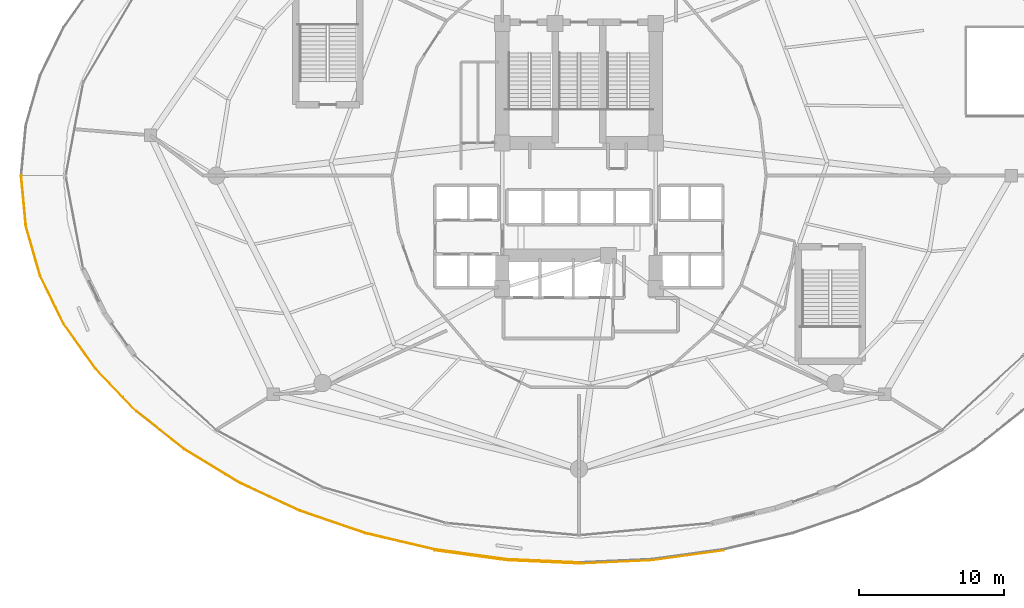
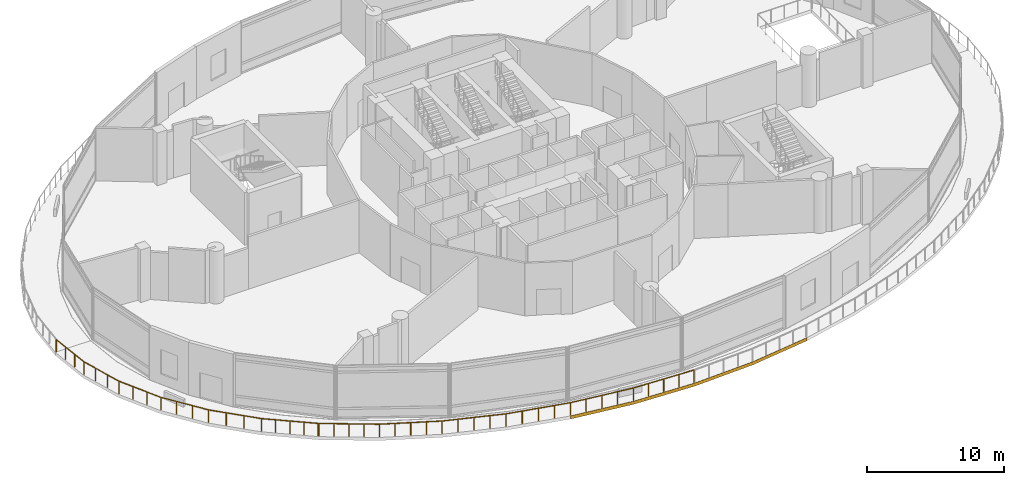
# One storey, part 31 of 36: 2 railings, 1 covering.
"""IFC4 building model written with IfcOpenShell, lengths in metres."""

from ifc_helpers import new_model, si_unit, direction, frame, origin, place, context, subcontext, project, spatial, polyline, outline, extrude, material, layer, layer_set, type_object, element, save


model = new_model("IFC4")

# Units and contexts
model_context = context("Model", 3, precision=1e-05, world=origin(), true_north=direction((0.0, 1.0)))
body_context = subcontext(model_context, "Body", "Model", "MODEL_VIEW")
ifc_project = project(units=[si_unit("LENGTHUNIT", "METRE"), si_unit("AREAUNIT", "SQUARE_METRE"), si_unit("VOLUMEUNIT", "CUBIC_METRE"), si_unit("PLANEANGLEUNIT", "RADIAN"), si_unit("MASSUNIT", "GRAM", prefix="KILO")], contexts=[model_context])

# Site, building, storey
site_placement = place(None, origin())
site = spatial("IfcSite", under=ifc_project, at=site_placement, CompositionType="ELEMENT")
building_placement = place(site_placement, origin())
building = spatial("IfcBuilding", under=site, at=building_placement, Name="Nuhasar Tower", CompositionType="ELEMENT")
storey_placement = place(building_placement, frame((0.0, 0.0, 11.0)))
storey = spatial("IfcBuildingStorey", under=building, at=storey_placement, Name="L02", CompositionType="ELEMENT", Elevation=11.0)

# Covering
ifc_material_1 = material(Name="Aluminium 6063-T6", Category="aluminium")
ifc_layer = layer(ifc_material_1, 0.014892578125)
ifc_layer_set = layer_set([ifc_layer], Name="Aluminium 6063-T6")
covering_type = type_object("IfcCoveringType", Name="COV-CLD-BRZ15", PredefinedType="CLADDING", material=ifc_layer_set)
covering_placement = place(storey_placement, frame((0.0, 0.0, -0.280029296875)))
element("IfcCovering", 1, at=covering_placement, inside=storey, type_object=covering_type, Name="L02 Bustan Terrace Bronze Fascia Cladding South", PredefinedType="CLADDING", context=body_context, shape_type="SweptSolid", body=[
    extrude(outline(polyline([(29.010009765625, 0.9130859375), (33.9619140625, 0.22900390625), (39.0, 0.0), (44.0380859375, 0.22900390625), (48.989990234375, 0.9130859375), (48.987060546875, 0.927978515625), (44.035888671875, 0.243896484375), (39.0, 0.014892578125), (33.964111328125, 0.243896484375), (29.012939453125, 0.927978515625), (29.010009765625, 0.9130859375)])), origin(), (0.0, 0.0, 1.0), 0.280029296875),
])

# Railings
ifc_material_2 = material(Name="Steel S355", Category="steel")
railing_type = type_object("IfcRailingType", Name="RLG-TERR-1150", PredefinedType="BALUSTRADE", material=ifc_material_2)
railing_1_placement = place(storey_placement, frame((0.47998046875, 26.800048828125, 0.0)))
element("IfcRailing", 2, at=railing_1_placement, inside=storey, type_object=railing_type, Name="L02 Bustan Terrace Perimeter Balustrade 05", PredefinedType="BALUSTRADE", context=body_context, shape_type="SweptSolid", body=[
    extrude(outline(polyline([(0.024169921875, 0.0), (0.01708984375, 0.01708984375), (0.0, 0.024169921875), (-0.01708984375, 0.01708984375), (-0.024169921875, 0.0), (-0.01708984375, -0.01708984375), (0.0, -0.024169921875), (0.01708984375, -0.01708984375), (0.024169921875, 0.0)])), frame((0.0, 0.0, 1.1259765625), z_axis=(0.094210589897, -0.995552291319, 0.0), x_axis=(0.995552291319, 0.094210589897, 0.0)), (0.0, 0.0, 1.0), 3.503662109375),
    extrude(outline(polyline([(0.024169921875, 0.0), (0.01708984375, 0.01708984375), (0.0, 0.024169921875), (-0.01708984375, 0.01708984375), (-0.024169921875, 0.0), (-0.01708984375, -0.01708984375), (0.0, -0.024169921875), (0.01708984375, -0.01708984375), (0.024169921875, 0.0)])), frame((0.330078125, -3.488037109375, 1.1259765625), z_axis=(0.275625212335, -0.961265177943, 0.0), x_axis=(0.961265177943, 0.275625212335, 0.0)), (0.0, 0.0, 1.0), 3.566162109375),
    extrude(outline(polyline([(0.024169921875, 0.0), (0.01708984375, 0.01708984375), (0.0, 0.024169921875), (-0.01708984375, 0.01708984375), (-0.024169921875, 0.0), (-0.01708984375, -0.01708984375), (0.0, -0.024169921875), (0.01708984375, -0.01708984375), (0.024169921875, 0.0)])), frame((1.31298828125, -6.916015625, 1.1259765625), z_axis=(0.4395096348, -0.898237875464, 0.0), x_axis=(0.898237875464, 0.4395096348, 0.0)), (0.0, 0.0, 1.0), 3.68408203125),
    extrude(outline(polyline([(0.024169921875, 0.0), (0.01708984375, 0.01708984375), (0.0, 0.024169921875), (-0.01708984375, 0.01708984375), (-0.024169921875, 0.0), (-0.01708984375, -0.01708984375), (0.0, -0.024169921875), (0.01708984375, -0.01708984375), (0.024169921875, 0.0)])), frame((2.93212890625, -10.22509765625, 1.1259765625), z_axis=(0.579465707946, -0.814996621658, 0.0), x_axis=(0.814996621658, 0.579465707946, 0.0)), (0.0, 0.0, 1.0), 3.8466796875),
    extrude(outline(polyline([(0.024169921875, 0.0), (0.01708984375, 0.01708984375), (0.0, 0.024169921875), (-0.01708984375, 0.01708984375), (-0.024169921875, 0.0), (-0.01708984375, -0.01708984375), (0.0, -0.024169921875), (0.01708984375, -0.01708984375), (0.024169921875, 0.0)])), frame((5.1611328125, -13.360107421875, 1.1259765625), z_axis=(0.693699827193, -0.72026422218, 0.0), x_axis=(0.72026422218, 0.693699827193, 0.0)), (0.0, 0.0, 1.0), 4.03466796875),
    extrude(outline(polyline([(0.024169921875, 0.0), (0.01708984375, 0.01708984375), (0.0, 0.024169921875), (-0.01708984375, 0.01708984375), (-0.024169921875, 0.0), (-0.01708984375, -0.01708984375), (0.0, -0.024169921875), (0.01708984375, -0.01708984375), (0.024169921875, 0.0)])), frame((7.9599609375, -16.26611328125, 1.1259765625), z_axis=(0.784319467323, -0.620357133576, 0.0), x_axis=(0.620357133576, 0.784319467323, 0.0)), (0.0, 0.0, 1.0), 4.196044921875),
    extrude(outline(polyline([(0.02099609375, 0.0), (0.014892578125, 0.014892578125), (0.0, 0.02099609375), (-0.014892578125, 0.014892578125), (-0.02099609375, 0.0), (-0.014892578125, -0.014892578125), (0.0, -0.02099609375), (0.014892578125, -0.014892578125), (0.02099609375, 0.0)])), origin(), (0.0, 0.0, 1.0), 1.101806640625),
    extrude(outline(polyline([(0.02099609375, 0.0), (0.014892578125, 0.014892578125), (0.0, 0.02099609375), (-0.014892578125, 0.014892578125), (-0.02099609375, 0.0), (-0.014892578125, -0.014892578125), (0.0, -0.02099609375), (0.014892578125, -0.014892578125), (0.02099609375, 0.0)])), frame((0.110107421875, -1.16259765625, 0.0)), (0.0, 0.0, 1.0), 1.101806640625),
    extrude(outline(polyline([(0.02099609375, 0.0), (0.014892578125, 0.014892578125), (0.0, 0.02099609375), (-0.014892578125, 0.014892578125), (-0.02099609375, 0.0), (-0.014892578125, -0.014892578125), (0.0, -0.02099609375), (0.014892578125, -0.014892578125), (0.02099609375, 0.0)])), frame((0.219970703125, -2.325439453125, 0.0)), (0.0, 0.0, 1.0), 1.101806640625),
    extrude(outline(polyline([(0.02099609375, 0.0), (0.014892578125, 0.014892578125), (0.0, 0.02099609375), (-0.014892578125, 0.014892578125), (-0.02099609375, 0.0), (-0.014892578125, -0.014892578125), (0.0, -0.02099609375), (0.014892578125, -0.014892578125), (0.02099609375, 0.0)])), frame((0.330078125, -3.488037109375, 0.0)), (0.0, 0.0, 1.0), 1.101806640625),
    extrude(outline(polyline([(0.02099609375, 0.0), (0.014892578125, 0.014892578125), (0.0, 0.02099609375), (-0.014892578125, 0.014892578125), (-0.02099609375, 0.0), (-0.014892578125, -0.014892578125), (0.0, -0.02099609375), (0.014892578125, -0.014892578125), (0.02099609375, 0.0)])), frame((0.65771484375, -4.630615234375, 0.0)), (0.0, 0.0, 1.0), 1.101806640625),
    extrude(outline(polyline([(0.02099609375, 0.0), (0.014892578125, 0.014892578125), (0.0, 0.02099609375), (-0.014892578125, 0.014892578125), (-0.02099609375, 0.0), (-0.014892578125, -0.014892578125), (0.0, -0.02099609375), (0.014892578125, -0.014892578125), (0.02099609375, 0.0)])), frame((0.9853515625, -5.7734375, 0.0)), (0.0, 0.0, 1.0), 1.101806640625),
    extrude(outline(polyline([(0.02099609375, 0.0), (0.014892578125, 0.014892578125), (0.0, 0.02099609375), (-0.014892578125, 0.014892578125), (-0.02099609375, 0.0), (-0.014892578125, -0.014892578125), (0.0, -0.02099609375), (0.014892578125, -0.014892578125), (0.02099609375, 0.0)])), frame((1.31298828125, -6.916015625, 0.0)), (0.0, 0.0, 1.0), 1.101806640625),
    extrude(outline(polyline([(0.02099609375, 0.0), (0.014892578125, 0.014892578125), (0.0, 0.02099609375), (-0.014892578125, 0.014892578125), (-0.02099609375, 0.0), (-0.014892578125, -0.014892578125), (0.0, -0.02099609375), (0.014892578125, -0.014892578125), (0.02099609375, 0.0)])), frame((1.852783203125, -8.01904296875, 0.0)), (0.0, 0.0, 1.0), 1.101806640625),
    extrude(outline(polyline([(0.02099609375, 0.0), (0.014892578125, 0.014892578125), (0.0, 0.02099609375), (-0.014892578125, 0.014892578125), (-0.02099609375, 0.0), (-0.014892578125, -0.014892578125), (0.0, -0.02099609375), (0.014892578125, -0.014892578125), (0.02099609375, 0.0)])), frame((2.392333984375, -9.1220703125, 0.0)), (0.0, 0.0, 1.0), 1.101806640625),
    extrude(outline(polyline([(0.02099609375, 0.0), (0.014892578125, 0.014892578125), (0.0, 0.02099609375), (-0.014892578125, 0.014892578125), (-0.02099609375, 0.0), (-0.014892578125, -0.014892578125), (0.0, -0.02099609375), (0.014892578125, -0.014892578125), (0.02099609375, 0.0)])), frame((2.93212890625, -10.22509765625, 0.0)), (0.0, 0.0, 1.0), 1.101806640625),
    extrude(outline(polyline([(0.02099609375, 0.0), (0.014892578125, 0.014892578125), (0.0, 0.02099609375), (-0.014892578125, 0.014892578125), (-0.02099609375, 0.0), (-0.014892578125, -0.014892578125), (0.0, -0.02099609375), (0.014892578125, -0.014892578125), (0.02099609375, 0.0)])), frame((3.675048828125, -11.27001953125, 0.0)), (0.0, 0.0, 1.0), 1.101806640625),
    extrude(outline(polyline([(0.02099609375, 0.0), (0.014892578125, 0.014892578125), (0.0, 0.02099609375), (-0.014892578125, 0.014892578125), (-0.02099609375, 0.0), (-0.014892578125, -0.014892578125), (0.0, -0.02099609375), (0.014892578125, -0.014892578125), (0.02099609375, 0.0)])), frame((4.418212890625, -12.315185546875, 0.0)), (0.0, 0.0, 1.0), 1.101806640625),
    extrude(outline(polyline([(0.02099609375, 0.0), (0.014892578125, 0.014892578125), (0.0, 0.02099609375), (-0.014892578125, 0.014892578125), (-0.02099609375, 0.0), (-0.014892578125, -0.014892578125), (0.0, -0.02099609375), (0.014892578125, -0.014892578125), (0.02099609375, 0.0)])), frame((5.1611328125, -13.360107421875, 0.0)), (0.0, 0.0, 1.0), 1.101806640625),
    extrude(outline(polyline([(0.02099609375, 0.0), (0.014892578125, 0.014892578125), (0.0, 0.02099609375), (-0.014892578125, 0.014892578125), (-0.02099609375, 0.0), (-0.014892578125, -0.014892578125), (0.0, -0.02099609375), (0.014892578125, -0.014892578125), (0.02099609375, 0.0)])), frame((6.093994140625, -14.328857421875, 0.0)), (0.0, 0.0, 1.0), 1.101806640625),
    extrude(outline(polyline([(0.02099609375, 0.0), (0.014892578125, 0.014892578125), (0.0, 0.02099609375), (-0.014892578125, 0.014892578125), (-0.02099609375, 0.0), (-0.014892578125, -0.014892578125), (0.0, -0.02099609375), (0.014892578125, -0.014892578125), (0.02099609375, 0.0)])), frame((7.027099609375, -15.29736328125, 0.0)), (0.0, 0.0, 1.0), 1.101806640625),
    extrude(outline(polyline([(0.02099609375, 0.0), (0.014892578125, 0.014892578125), (0.0, 0.02099609375), (-0.014892578125, 0.014892578125), (-0.02099609375, 0.0), (-0.014892578125, -0.014892578125), (0.0, -0.02099609375), (0.014892578125, -0.014892578125), (0.02099609375, 0.0)])), frame((7.9599609375, -16.26611328125, 0.0)), (0.0, 0.0, 1.0), 1.101806640625),
    extrude(outline(polyline([(0.02099609375, 0.0), (0.014892578125, 0.014892578125), (0.0, 0.02099609375), (-0.014892578125, 0.014892578125), (-0.02099609375, 0.0), (-0.014892578125, -0.014892578125), (0.0, -0.02099609375), (0.014892578125, -0.014892578125), (0.02099609375, 0.0)])), frame((8.78271484375, -16.9169921875, 0.0)), (0.0, 0.0, 1.0), 1.101806640625),
    extrude(outline(polyline([(0.02099609375, 0.0), (0.014892578125, 0.014892578125), (0.0, 0.02099609375), (-0.014892578125, 0.014892578125), (-0.02099609375, 0.0), (-0.014892578125, -0.014892578125), (0.0, -0.02099609375), (0.014892578125, -0.014892578125), (0.02099609375, 0.0)])), frame((9.60546875, -17.567626953125, 0.0)), (0.0, 0.0, 1.0), 1.101806640625),
    extrude(outline(polyline([(0.02099609375, 0.0), (0.014892578125, 0.014892578125), (0.0, 0.02099609375), (-0.014892578125, 0.014892578125), (-0.02099609375, 0.0), (-0.014892578125, -0.014892578125), (0.0, -0.02099609375), (0.014892578125, -0.014892578125), (0.02099609375, 0.0)])), frame((10.42822265625, -18.21826171875, 0.0)), (0.0, 0.0, 1.0), 1.101806640625),
    extrude(outline(polyline([(0.02099609375, 0.0), (0.014892578125, 0.014892578125), (0.0, 0.02099609375), (-0.014892578125, 0.014892578125), (-0.02099609375, 0.0), (-0.014892578125, -0.014892578125), (0.0, -0.02099609375), (0.014892578125, -0.014892578125), (0.02099609375, 0.0)])), frame((11.2509765625, -18.869140625, 0.0)), (0.0, 0.0, 1.0), 1.101806640625),
])
railing_2_placement = place(storey_placement, frame((11.761962890625, 7.906005859375, 0.0)))
element("IfcRailing", 3, at=railing_2_placement, inside=storey, type_object=railing_type, Name="L02 Bustan Terrace Perimeter Balustrade 06", PredefinedType="BALUSTRADE", context=body_context, shape_type="SweptSolid", body=[
    extrude(outline(polyline([(0.024169921875, 0.0), (0.01708984375, 0.01708984375), (0.0, 0.024169921875), (-0.01708984375, 0.01708984375), (-0.024169921875, 0.0), (-0.01708984375, -0.01708984375), (0.0, -0.024169921875), (0.01708984375, -0.01708984375), (0.024169921875, 0.0)])), frame((0.0, 0.0, 1.1259765625), z_axis=(0.854441915656, -0.519546930286, 0.0), x_axis=(0.519546930286, 0.854441915656, 0.0)), (0.0, 0.0, 1.0), 4.4345703125),
    extrude(outline(polyline([(0.024169921875, 0.0), (0.01708984375, 0.01708984375), (0.0, 0.024169921875), (-0.01708984375, 0.01708984375), (-0.024169921875, 0.0), (-0.01708984375, -0.01708984375), (0.0, -0.024169921875), (0.01708984375, -0.01708984375), (0.024169921875, 0.0)])), frame((3.7890625, -2.303955078125, 1.1259765625), z_axis=(0.907235318413, -0.420623438511, 0.0), x_axis=(0.420623438511, 0.907235318413, 0.0)), (0.0, 0.0, 1.0), 4.6171875),
    extrude(outline(polyline([(0.024169921875, 0.0), (0.01708984375, 0.01708984375), (0.0, 0.024169921875), (-0.01708984375, 0.01708984375), (-0.024169921875, 0.0), (-0.01708984375, -0.01708984375), (0.0, -0.024169921875), (0.01708984375, -0.01708984375), (0.024169921875, 0.0)])), frame((7.97802734375, -4.24609375, 1.1259765625), z_axis=(0.946169752463, -0.323670819697, 0.0), x_axis=(0.323670819697, 0.946169752463, 0.0)), (0.0, 0.0, 1.0), 4.776123046875),
    extrude(outline(polyline([(0.024169921875, 0.0), (0.01708984375, 0.01708984375), (0.0, 0.024169921875), (-0.01708984375, 0.01708984375), (-0.024169921875, 0.0), (-0.01708984375, -0.01708984375), (0.0, -0.024169921875), (0.01708984375, -0.01708984375), (0.024169921875, 0.0)])), frame((12.4970703125, -5.7919921875, 1.1259765625), z_axis=(0.973351806518, -0.229316943875, 0.0), x_axis=(0.229316943875, 0.973351806518, 0.0)), (0.0, 0.0, 1.0), 4.901611328125),
    extrude(outline(polyline([(0.024169921875, 0.0), (0.01708984375, 0.01708984375), (0.0, 0.024169921875), (-0.01708984375, 0.01708984375), (-0.024169921875, 0.0), (-0.01708984375, -0.01708984375), (0.0, -0.024169921875), (0.01708984375, -0.01708984375), (0.024169921875, 0.0)])), frame((17.26806640625, -6.916015625, 1.1259765625), z_axis=(0.990640991668, -0.136493317151, 0.0), x_axis=(0.136493317151, 0.990640991668, 0.0)), (0.0, 0.0, 1.0), 4.988525390625),
    extrude(outline(polyline([(0.024169921875, 0.0), (0.01708984375, 0.01708984375), (0.0, 0.024169921875), (-0.01708984375, 0.01708984375), (-0.024169921875, 0.0), (-0.01708984375, -0.01708984375), (0.0, -0.024169921875), (0.01708984375, -0.01708984375), (0.024169921875, 0.0)])), frame((22.2099609375, -7.596923828125, 1.1259765625), z_axis=(0.998965614545, -0.045471979909, 0.0), x_axis=(0.045471979909, 0.998965614545, 0.0)), (0.0, 0.0, 1.0), 4.9931640625),
    extrude(outline(polyline([(0.02099609375, 0.0), (0.014892578125, 0.014892578125), (0.0, 0.02099609375), (-0.014892578125, 0.014892578125), (-0.02099609375, 0.0), (-0.014892578125, -0.014892578125), (0.0, -0.02099609375), (0.014892578125, -0.014892578125), (0.02099609375, 0.0)])), origin(), (0.0, 0.0, 1.0), 1.101806640625),
    extrude(outline(polyline([(0.02099609375, 0.0), (0.014892578125, 0.014892578125), (0.0, 0.02099609375), (-0.014892578125, 0.014892578125), (-0.02099609375, 0.0), (-0.014892578125, -0.014892578125), (0.0, -0.02099609375), (0.014892578125, -0.014892578125), (0.02099609375, 0.0)])), frame((0.947265625, -0.575927734375, 0.0)), (0.0, 0.0, 1.0), 1.101806640625),
    extrude(outline(polyline([(0.02099609375, 0.0), (0.014892578125, 0.014892578125), (0.0, 0.02099609375), (-0.014892578125, 0.014892578125), (-0.02099609375, 0.0), (-0.014892578125, -0.014892578125), (0.0, -0.02099609375), (0.014892578125, -0.014892578125), (0.02099609375, 0.0)])), frame((1.89453125, -1.15185546875, 0.0)), (0.0, 0.0, 1.0), 1.101806640625),
    extrude(outline(polyline([(0.02099609375, 0.0), (0.014892578125, 0.014892578125), (0.0, 0.02099609375), (-0.014892578125, 0.014892578125), (-0.02099609375, 0.0), (-0.014892578125, -0.014892578125), (0.0, -0.02099609375), (0.014892578125, -0.014892578125), (0.02099609375, 0.0)])), frame((2.841796875, -1.72802734375, 0.0)), (0.0, 0.0, 1.0), 1.101806640625),
    extrude(outline(polyline([(0.02099609375, 0.0), (0.014892578125, 0.014892578125), (0.0, 0.02099609375), (-0.014892578125, 0.014892578125), (-0.02099609375, 0.0), (-0.014892578125, -0.014892578125), (0.0, -0.02099609375), (0.014892578125, -0.014892578125), (0.02099609375, 0.0)])), frame((3.7890625, -2.303955078125, 0.0)), (0.0, 0.0, 1.0), 1.101806640625),
    extrude(outline(polyline([(0.02099609375, 0.0), (0.014892578125, 0.014892578125), (0.0, 0.02099609375), (-0.014892578125, 0.014892578125), (-0.02099609375, 0.0), (-0.014892578125, -0.014892578125), (0.0, -0.02099609375), (0.014892578125, -0.014892578125), (0.02099609375, 0.0)])), frame((4.83642578125, -2.78955078125, 0.0)), (0.0, 0.0, 1.0), 1.101806640625),
    extrude(outline(polyline([(0.02099609375, 0.0), (0.014892578125, 0.014892578125), (0.0, 0.02099609375), (-0.014892578125, 0.014892578125), (-0.02099609375, 0.0), (-0.014892578125, -0.014892578125), (0.0, -0.02099609375), (0.014892578125, -0.014892578125), (0.02099609375, 0.0)])), frame((5.883544921875, -3.27490234375, 0.0)), (0.0, 0.0, 1.0), 1.101806640625),
    extrude(outline(polyline([(0.02099609375, 0.0), (0.014892578125, 0.014892578125), (0.0, 0.02099609375), (-0.014892578125, 0.014892578125), (-0.02099609375, 0.0), (-0.014892578125, -0.014892578125), (0.0, -0.02099609375), (0.014892578125, -0.014892578125), (0.02099609375, 0.0)])), frame((6.9306640625, -3.760498046875, 0.0)), (0.0, 0.0, 1.0), 1.101806640625),
    extrude(outline(polyline([(0.02099609375, 0.0), (0.014892578125, 0.014892578125), (0.0, 0.02099609375), (-0.014892578125, 0.014892578125), (-0.02099609375, 0.0), (-0.014892578125, -0.014892578125), (0.0, -0.02099609375), (0.014892578125, -0.014892578125), (0.02099609375, 0.0)])), frame((7.97802734375, -4.24609375, 0.0)), (0.0, 0.0, 1.0), 1.101806640625),
    extrude(outline(polyline([(0.02099609375, 0.0), (0.014892578125, 0.014892578125), (0.0, 0.02099609375), (-0.014892578125, 0.014892578125), (-0.02099609375, 0.0), (-0.014892578125, -0.014892578125), (0.0, -0.02099609375), (0.014892578125, -0.014892578125), (0.02099609375, 0.0)])), frame((9.10791015625, -4.632568359375, 0.0)), (0.0, 0.0, 1.0), 1.101806640625),
    extrude(outline(polyline([(0.02099609375, 0.0), (0.014892578125, 0.014892578125), (0.0, 0.02099609375), (-0.014892578125, 0.014892578125), (-0.02099609375, 0.0), (-0.014892578125, -0.014892578125), (0.0, -0.02099609375), (0.014892578125, -0.014892578125), (0.02099609375, 0.0)])), frame((10.237548828125, -5.01904296875, 0.0)), (0.0, 0.0, 1.0), 1.101806640625),
    extrude(outline(polyline([(0.02099609375, 0.0), (0.014892578125, 0.014892578125), (0.0, 0.02099609375), (-0.014892578125, 0.014892578125), (-0.02099609375, 0.0), (-0.014892578125, -0.014892578125), (0.0, -0.02099609375), (0.014892578125, -0.014892578125), (0.02099609375, 0.0)])), frame((11.3671875, -5.405517578125, 0.0)), (0.0, 0.0, 1.0), 1.101806640625),
    extrude(outline(polyline([(0.02099609375, 0.0), (0.014892578125, 0.014892578125), (0.0, 0.02099609375), (-0.014892578125, 0.014892578125), (-0.02099609375, 0.0), (-0.014892578125, -0.014892578125), (0.0, -0.02099609375), (0.014892578125, -0.014892578125), (0.02099609375, 0.0)])), frame((12.4970703125, -5.7919921875, 0.0)), (0.0, 0.0, 1.0), 1.101806640625),
    extrude(outline(polyline([(0.02099609375, 0.0), (0.014892578125, 0.014892578125), (0.0, 0.02099609375), (-0.014892578125, 0.014892578125), (-0.02099609375, 0.0), (-0.014892578125, -0.014892578125), (0.0, -0.02099609375), (0.014892578125, -0.014892578125), (0.02099609375, 0.0)])), frame((13.68994140625, -6.072998046875, 0.0)), (0.0, 0.0, 1.0), 1.101806640625),
    extrude(outline(polyline([(0.02099609375, 0.0), (0.014892578125, 0.014892578125), (0.0, 0.02099609375), (-0.014892578125, 0.014892578125), (-0.02099609375, 0.0), (-0.014892578125, -0.014892578125), (0.0, -0.02099609375), (0.014892578125, -0.014892578125), (0.02099609375, 0.0)])), frame((14.882568359375, -6.35400390625, 0.0)), (0.0, 0.0, 1.0), 1.101806640625),
    extrude(outline(polyline([(0.02099609375, 0.0), (0.014892578125, 0.014892578125), (0.0, 0.02099609375), (-0.014892578125, 0.014892578125), (-0.02099609375, 0.0), (-0.014892578125, -0.014892578125), (0.0, -0.02099609375), (0.014892578125, -0.014892578125), (0.02099609375, 0.0)])), frame((16.0751953125, -6.635009765625, 0.0)), (0.0, 0.0, 1.0), 1.101806640625),
    extrude(outline(polyline([(0.02099609375, 0.0), (0.014892578125, 0.014892578125), (0.0, 0.02099609375), (-0.014892578125, 0.014892578125), (-0.02099609375, 0.0), (-0.014892578125, -0.014892578125), (0.0, -0.02099609375), (0.014892578125, -0.014892578125), (0.02099609375, 0.0)])), frame((17.26806640625, -6.916015625, 0.0)), (0.0, 0.0, 1.0), 1.101806640625),
    extrude(outline(polyline([(0.02099609375, 0.0), (0.014892578125, 0.014892578125), (0.0, 0.02099609375), (-0.014892578125, 0.014892578125), (-0.02099609375, 0.0), (-0.014892578125, -0.014892578125), (0.0, -0.02099609375), (0.014892578125, -0.014892578125), (0.02099609375, 0.0)])), frame((18.50341796875, -7.086181640625, 0.0)), (0.0, 0.0, 1.0), 1.101806640625),
    extrude(outline(polyline([(0.02099609375, 0.0), (0.014892578125, 0.014892578125), (0.0, 0.02099609375), (-0.014892578125, 0.014892578125), (-0.02099609375, 0.0), (-0.014892578125, -0.014892578125), (0.0, -0.02099609375), (0.014892578125, -0.014892578125), (0.02099609375, 0.0)])), frame((19.739013671875, -7.25634765625, 0.0)), (0.0, 0.0, 1.0), 1.101806640625),
    extrude(outline(polyline([(0.02099609375, 0.0), (0.014892578125, 0.014892578125), (0.0, 0.02099609375), (-0.014892578125, 0.014892578125), (-0.02099609375, 0.0), (-0.014892578125, -0.014892578125), (0.0, -0.02099609375), (0.014892578125, -0.014892578125), (0.02099609375, 0.0)])), frame((20.974609375, -7.4267578125, 0.0)), (0.0, 0.0, 1.0), 1.101806640625),
    extrude(outline(polyline([(0.02099609375, 0.0), (0.014892578125, 0.014892578125), (0.0, 0.02099609375), (-0.014892578125, 0.014892578125), (-0.02099609375, 0.0), (-0.014892578125, -0.014892578125), (0.0, -0.02099609375), (0.014892578125, -0.014892578125), (0.02099609375, 0.0)])), frame((22.2099609375, -7.596923828125, 0.0)), (0.0, 0.0, 1.0), 1.101806640625),
    extrude(outline(polyline([(0.02099609375, 0.0), (0.014892578125, 0.014892578125), (0.0, 0.02099609375), (-0.014892578125, 0.014892578125), (-0.02099609375, 0.0), (-0.014892578125, -0.014892578125), (0.0, -0.02099609375), (0.014892578125, -0.014892578125), (0.02099609375, 0.0)])), frame((23.45703125, -7.65380859375, 0.0)), (0.0, 0.0, 1.0), 1.101806640625),
    extrude(outline(polyline([(0.02099609375, 0.0), (0.014892578125, 0.014892578125), (0.0, 0.02099609375), (-0.014892578125, 0.014892578125), (-0.02099609375, 0.0), (-0.014892578125, -0.014892578125), (0.0, -0.02099609375), (0.014892578125, -0.014892578125), (0.02099609375, 0.0)])), frame((24.7041015625, -7.71044921875, 0.0)), (0.0, 0.0, 1.0), 1.101806640625),
    extrude(outline(polyline([(0.02099609375, 0.0), (0.014892578125, 0.014892578125), (0.0, 0.02099609375), (-0.014892578125, 0.014892578125), (-0.02099609375, 0.0), (-0.014892578125, -0.014892578125), (0.0, -0.02099609375), (0.014892578125, -0.014892578125), (0.02099609375, 0.0)])), frame((25.950927734375, -7.76708984375, 0.0)), (0.0, 0.0, 1.0), 1.101806640625),
    extrude(outline(polyline([(0.02099609375, 0.0), (0.014892578125, 0.014892578125), (0.0, 0.02099609375), (-0.014892578125, 0.014892578125), (-0.02099609375, 0.0), (-0.014892578125, -0.014892578125), (0.0, -0.02099609375), (0.014892578125, -0.014892578125), (0.02099609375, 0.0)])), frame((27.197998046875, -7.823974609375, 0.0)), (0.0, 0.0, 1.0), 1.101806640625),
])

save(model, "model.ifc")
